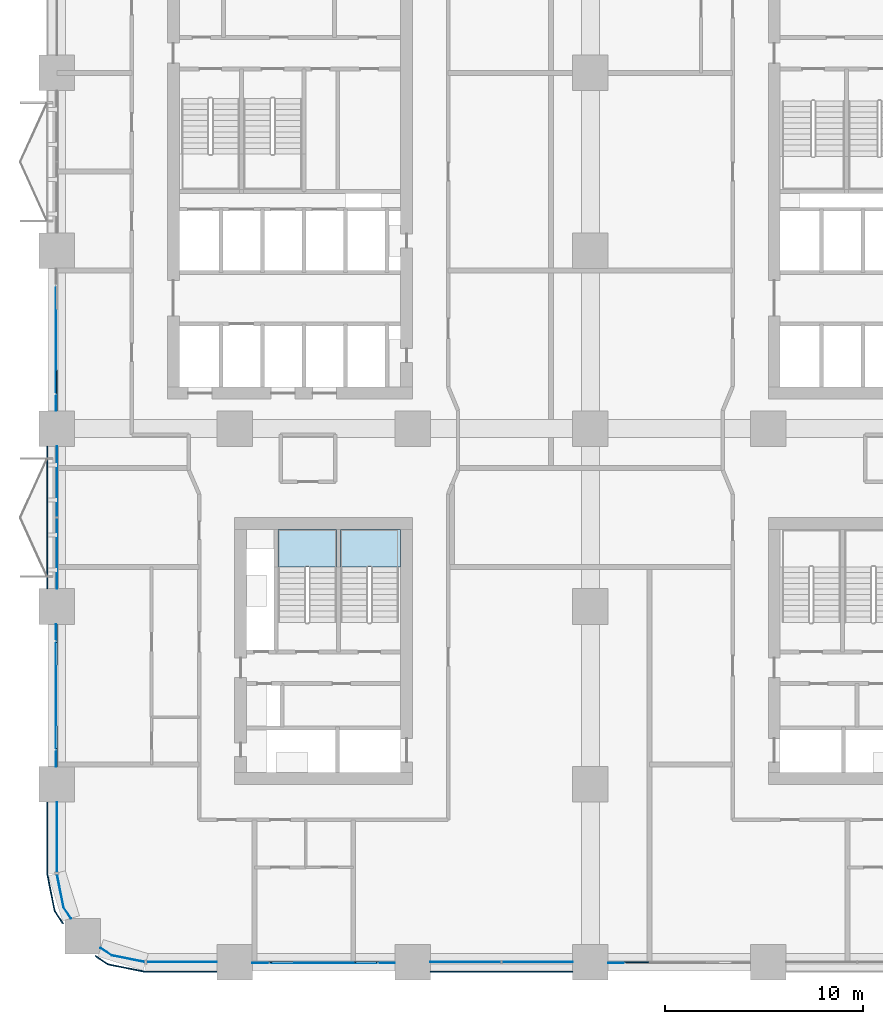
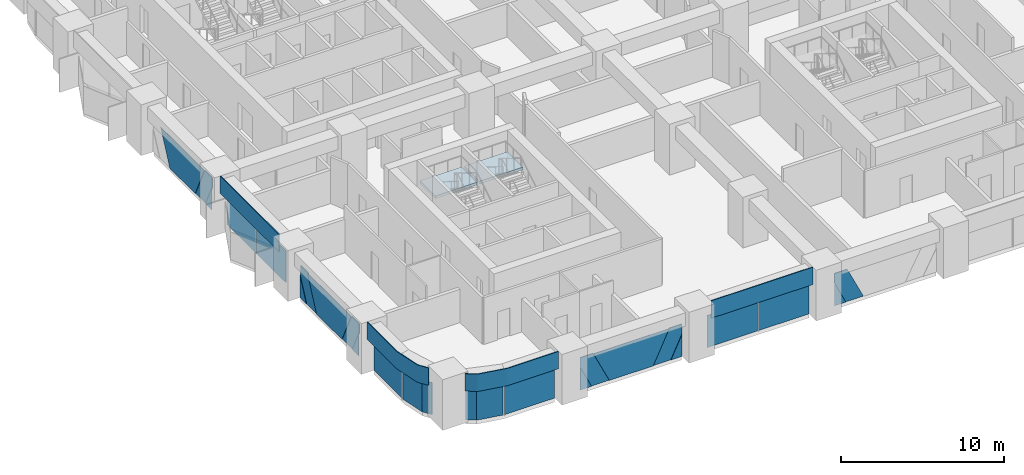
# One storey, part 8 of 21: 27 plates, 2 slabs, 10 elements without a shape of their own.
"""IFC4 building model written with IfcOpenShell, lengths in metres."""

from ifc_helpers import new_model, si_unit, direction, frame, origin, origin_2d, place, context, subcontext, project, spatial, polyline, rectangle, outline, extrude, material, layer, layer_set, type_object, element, aggregate, save


model = new_model("IFC4")

# Units and contexts
model_context = context("Model", 3, precision=1e-05, world=origin(), true_north=direction((0.0, 1.0)))
body_context = subcontext(model_context, "Body", "Model", "MODEL_VIEW")
ifc_project = project(units=[si_unit("LENGTHUNIT", "METRE"), si_unit("AREAUNIT", "SQUARE_METRE"), si_unit("VOLUMEUNIT", "CUBIC_METRE"), si_unit("PLANEANGLEUNIT", "RADIAN"), si_unit("MASSUNIT", "GRAM", prefix="KILO")], contexts=[model_context])

# Site, building, storey
site_placement = place(None, origin())
site = spatial("IfcSite", under=ifc_project, at=site_placement, CompositionType="ELEMENT")
building_placement = place(site_placement, origin())
building = spatial("IfcBuilding", under=site, at=building_placement, Name="Tessera Arch", CompositionType="ELEMENT")
storey_placement = place(building_placement, frame((0.0, 0.0, 42.39990234375)))
storey = spatial("IfcBuildingStorey", under=building, at=storey_placement, Name="L08", CompositionType="ELEMENT", Elevation=42.39990234375)

# Curtain wall, plates
ifc_material_1 = material(Name="CW1 curtain wall")
curtain_wall_type_1 = type_object("IfcCurtainWallType", Name="CW1 curtain wall", PredefinedType="NOTDEFINED", material=ifc_material_1)
curtain_wall_1_placement = place(storey_placement, origin())
curtain_wall_1 = element("IfcCurtainWall", 1, at=curtain_wall_1_placement, inside=storey, type_object=curtain_wall_type_1, Name="CW1 curtain wall S0.0/1 L08", PredefinedType="NOTDEFINED")
ifc_material_2 = material(Name="Clear low-e glass", Category="glass")
ifc_material_3 = material(Name="Clear low-e glass", Category="glass")
ifc_layer_1 = layer(ifc_material_3, 0.028076171875)
ifc_layer_set_1 = layer_set([ifc_layer_1], Name="CW1 glass panel")
plate_type_1 = type_object("IfcPlateType", Name="CW1 glass panel", PredefinedType="CURTAIN_PANEL", material=ifc_layer_set_1)
plate_1_placement = place(storey_placement, frame((20.68505859375, 0.0, 0.000244140625), z_axis=(0.0, 0.0, 1.0), x_axis=(1.0, 0.0, 0.0)))
plate_1 = element("IfcPlate", 2, at=plate_1_placement, type_object=plate_type_1, material=ifc_material_2, Name="CW1 glass panel S0.0/1 1.1.1", PredefinedType="CURTAIN_PANEL", context=body_context, shape_type="SweptSolid", body=[
    extrude(rectangle(XDim=3.570068359375, YDim=0.028076171875, at=origin_2d()), origin(), (0.0, 0.0, 1.0), 2.39990234375),
])
plate_2_placement = place(storey_placement, frame((24.31494140625, 0.0, 0.000244140625), z_axis=(0.0, 0.0, 1.0), x_axis=(1.0, 0.0, 0.0)))
plate_2 = element("IfcPlate", 3, at=plate_2_placement, type_object=plate_type_1, material=ifc_material_2, Name="CW1 glass panel S0.0/1 1.2.1", PredefinedType="CURTAIN_PANEL", context=body_context, shape_type="SweptSolid", body=[
    extrude(rectangle(XDim=3.570068359375, YDim=0.028076171875, at=origin_2d()), origin(), (0.0, 0.0, 1.0), 2.39990234375),
])

curtain_wall_2_placement = place(storey_placement, origin())
curtain_wall_2 = element("IfcCurtainWall", 4, at=curtain_wall_2_placement, inside=storey, type_object=curtain_wall_type_1, Name="CW1 curtain wall W0.0/3 L08", PredefinedType="NOTDEFINED")
plate_3_placement = place(storey_placement, frame((0.0, 24.31494140625, 0.000244140625), z_axis=(0.0, 0.0, 1.0), x_axis=(0.0, -1.0, 0.0)))
plate_3 = element("IfcPlate", 5, at=plate_3_placement, type_object=plate_type_1, material=ifc_material_2, Name="CW1 glass panel W0.0/3 1.1.1", PredefinedType="CURTAIN_PANEL", context=body_context, shape_type="SweptSolid", body=[
    extrude(rectangle(XDim=3.570068359375, YDim=0.028076171875, at=origin_2d()), origin(), (0.0, 0.0, 1.0), 2.39990234375),
])
plate_4_placement = place(storey_placement, frame((0.0, 20.68505859375, 0.000244140625), z_axis=(0.0, 0.0, 1.0), x_axis=(0.0, -1.0, 0.0)))
plate_4 = element("IfcPlate", 6, at=plate_4_placement, type_object=plate_type_1, material=ifc_material_2, Name="CW1 glass panel W0.0/3 1.2.1", PredefinedType="CURTAIN_PANEL", context=body_context, shape_type="SweptSolid", body=[
    extrude(rectangle(XDim=3.570068359375, YDim=0.028076171875, at=origin_2d()), origin(), (0.0, 0.0, 1.0), 2.39990234375),
])

# Plate
ifc_material_4 = material(Name="Pale anodised aluminium panel", Category="aluminium")
ifc_layer_2 = layer(ifc_material_4, 0.06005859375)
ifc_layer_set_2 = layer_set([ifc_layer_2], Name="CW1 spandrel panel")
plate_type_2 = type_object("IfcPlateType", Name="CW1 spandrel panel", PredefinedType="CURTAIN_PANEL", material=ifc_layer_set_2)
plate_5_placement = place(storey_placement, frame((22.5, -0.47998046875, 2.5), z_axis=(0.0, 0.0, 1.0), x_axis=(1.0, 0.0, 0.0)))
plate_5 = element("IfcPlate", 7, at=plate_5_placement, type_object=plate_type_2, Name="CW1 spandrel panel S0.0/1", PredefinedType="CURTAIN_PANEL", context=body_context, shape_type="SweptSolid", body=[
    extrude(rectangle(XDim=7.199951171875, YDim=0.06005859375, at=origin_2d()), origin(), (0.0, 0.0, 1.0), 1.300048828125),
])

aggregate(curtain_wall_1, [plate_1, plate_2, plate_5])

plate_6_placement = place(storey_placement, frame((-0.47998046875, 22.5, 2.5), z_axis=(0.0, 0.0, 1.0), x_axis=(0.0, -1.0, 0.0)))
plate_6 = element("IfcPlate", 8, at=plate_6_placement, type_object=plate_type_2, Name="CW1 spandrel panel W0.0/3", PredefinedType="CURTAIN_PANEL", context=body_context, shape_type="SweptSolid", body=[
    extrude(rectangle(XDim=7.199951171875, YDim=0.06005859375, at=origin_2d()), origin(), (0.0, 0.0, 1.0), 1.300048828125),
])

aggregate(curtain_wall_2, [plate_3, plate_4, plate_6])

# Curtain wall, plates
ifc_material_5 = material(Name="CW2 curtain wall")
curtain_wall_type_2 = type_object("IfcCurtainWallType", Name="CW2 curtain wall", PredefinedType="NOTDEFINED", material=ifc_material_5)
curtain_wall_3_placement = place(storey_placement, origin())
curtain_wall_3 = element("IfcCurtainWall", 9, at=curtain_wall_3_placement, inside=storey, type_object=curtain_wall_type_2, Name="CW2 curtain wall W0.0/5 L08", PredefinedType="NOTDEFINED")
ifc_material_6 = material(Name="Clear low-e glass", Category="glass")
ifc_layer_3 = layer(ifc_material_6, 0.028076171875)
ifc_layer_set_3 = layer_set([ifc_layer_3], Name="CW2 glass panel")
plate_type_3 = type_object("IfcPlateType", Name="CW2 glass panel", PredefinedType="CURTAIN_PANEL", material=ifc_layer_set_3)
plate_7_placement = place(storey_placement, frame((0.0, 6.320068359375, 0.000244140625), z_axis=(0.0, 0.0, 1.0), x_axis=(0.0, -1.0, 0.0)))
plate_7 = element("IfcPlate", 10, at=plate_7_placement, type_object=plate_type_3, material=ifc_material_2, Name="CW2 glass panel W0.0/5 1.1", PredefinedType="CURTAIN_PANEL", context=body_context, shape_type="SweptSolid", body=[
    extrude(rectangle(XDim=3.56005859375, YDim=0.028076171875, at=origin_2d()), origin(), (0.0, 0.0, 1.0), 2.39990234375),
])
plate_8_placement = place(storey_placement, origin())
plate_8 = element("IfcPlate", 11, at=plate_8_placement, type_object=plate_type_3, material=ifc_material_2, Name="CW2 curved glass panel W0.0/5 2.1", PredefinedType="CURTAIN_PANEL", context=body_context, shape_type="SweptSolid", body=[
    extrude(outline(polyline([(0.355712890625, 2.783447265625), (0.021484375, 4.46337890625), (-0.005859375, 4.4580078125), (0.329345703125, 2.7724609375), (0.705078125, 2.210205078125), (0.728271484375, 2.225830078125), (0.355712890625, 2.783447265625)])), origin(), (0.0, 0.0, 1.0), 2.400146484375),
])

curtain_wall_4_placement = place(storey_placement, origin())
curtain_wall_4 = element("IfcCurtainWall", 12, at=curtain_wall_4_placement, inside=storey, type_object=curtain_wall_type_2, Name="CW2 curtain wall S0.0/5 L08", PredefinedType="NOTDEFINED")
plate_9_placement = place(storey_placement, frame((6.320068359375, 0.0, 0.000244140625), z_axis=(0.0, 0.0, 1.0), x_axis=(1.0, 0.0, 0.0)))
plate_9 = element("IfcPlate", 13, at=plate_9_placement, type_object=plate_type_3, material=ifc_material_2, Name="CW2 glass panel S0.0/5 1.1", PredefinedType="CURTAIN_PANEL", context=body_context, shape_type="SweptSolid", body=[
    extrude(rectangle(XDim=3.56005859375, YDim=0.028076171875, at=origin_2d()), origin(), (0.0, 0.0, 1.0), 2.39990234375),
])
plate_10_placement = place(storey_placement, origin())
plate_10 = element("IfcPlate", 14, at=plate_10_placement, type_object=plate_type_3, material=ifc_material_2, Name="CW2 curved glass panel S0.0/5 2.1", PredefinedType="CURTAIN_PANEL", context=body_context, shape_type="SweptSolid", body=[
    extrude(outline(polyline([(2.783447265625, 0.355712890625), (2.225830078125, 0.728271484375), (2.210205078125, 0.705078125), (2.7724609375, 0.329345703125), (4.4580078125, -0.005859375), (4.46337890625, 0.021484375), (2.783447265625, 0.355712890625)])), origin(), (0.0, 0.0, 1.0), 2.400146484375),
])

# Plate
ifc_material_7 = material(Name="Pale anodised aluminium panel", Category="aluminium")
ifc_layer_4 = layer(ifc_material_7, 0.06005859375)
ifc_layer_set_4 = layer_set([ifc_layer_4], Name="CW2 spandrel panel")
plate_type_4 = type_object("IfcPlateType", Name="CW2 spandrel panel", PredefinedType="CURTAIN_PANEL", material=ifc_layer_set_4)
plate_11_placement = place(storey_placement, frame((0.0, 0.0, 2.5)))
plate_11 = element("IfcPlate", 15, at=plate_11_placement, type_object=plate_type_4, Name="CW2 spandrel panel W0.0/5", PredefinedType="CURTAIN_PANEL", context=body_context, shape_type="SweptSolid", body=[
    extrude(outline(polyline([(-0.449951171875, 4.500732421875), (-0.449951171875, 8.10009765625), (-0.510009765625, 8.10009765625), (-0.510009765625, 4.499267578125), (-0.507568359375, 4.449951171875), (-0.500244140625, 4.401123046875), (-0.157470703125, 2.677734375), (-0.1455078125, 2.6298828125), (-0.128662109375, 2.582763671875), (-0.107177734375, 2.537353515625), (-0.08203125, 2.4951171875), (0.292724609375, 1.9345703125), (0.342529296875, 1.968017578125), (-0.03125, 2.52734375), (-0.05419921875, 2.565673828125), (-0.0732421875, 2.605712890625), (-0.088134765625, 2.647216796875), (-0.09912109375, 2.69091796875), (-0.441162109375, 4.411376953125), (-0.44775390625, 4.455810546875), (-0.449951171875, 4.500732421875)])), origin(), (0.0, 0.0, 1.0), 1.300048828125),
])

aggregate(curtain_wall_3, [plate_7, plate_8, plate_11])

plate_12_placement = place(storey_placement, frame((0.0, 0.0, 2.5)))
plate_12 = element("IfcPlate", 16, at=plate_12_placement, type_object=plate_type_4, Name="CW2 spandrel panel S0.0/5", PredefinedType="CURTAIN_PANEL", context=body_context, shape_type="SweptSolid", body=[
    extrude(outline(polyline([(2.52734375, -0.03125), (1.968017578125, 0.342529296875), (1.9345703125, 0.292724609375), (2.4951171875, -0.08203125), (2.537353515625, -0.107177734375), (2.582763671875, -0.128662109375), (2.6298828125, -0.1455078125), (2.677734375, -0.157470703125), (4.401123046875, -0.500244140625), (4.449951171875, -0.507568359375), (4.499267578125, -0.510009765625), (8.10009765625, -0.510009765625), (8.10009765625, -0.449951171875), (4.500732421875, -0.449951171875), (4.455810546875, -0.44775390625), (4.411376953125, -0.441162109375), (2.69091796875, -0.09912109375), (2.647216796875, -0.088134765625), (2.605712890625, -0.0732421875), (2.565673828125, -0.05419921875), (2.52734375, -0.03125)])), origin(), (0.0, 0.0, 1.0), 1.300048828125),
])

aggregate(curtain_wall_4, [plate_9, plate_10, plate_12])

# Curtain wall, plates
ifc_material_8 = material(Name="CW3 curtain wall")
curtain_wall_type_3 = type_object("IfcCurtainWallType", Name="CW3 curtain wall", PredefinedType="NOTDEFINED", material=ifc_material_8)
curtain_wall_5_placement = place(storey_placement, origin())
curtain_wall_5 = element("IfcCurtainWall", 17, at=curtain_wall_5_placement, inside=storey, type_object=curtain_wall_type_3, Name="CW3 curtain wall S0.0/0 L08", PredefinedType="NOTDEFINED")
ifc_material_9 = material(Name="Pale anodised aluminium panel", Category="aluminium")
ifc_layer_5 = layer(ifc_material_9, 0.06005859375)
ifc_layer_set_5 = layer_set([ifc_layer_5], Name="CW3 diagonal panel")
plate_type_5 = type_object("IfcPlateType", Name="CW3 diagonal panel", PredefinedType="CURTAIN_PANEL", material=ifc_layer_set_5)
plate_13_placement = place(storey_placement, frame((17.10009765625, -0.030029296875, 2.400146484375), z_axis=(0.0, -1.0, 0.0), x_axis=(-1.0, 0.0, 0.0)))
plate_13 = element("IfcPlate", 18, at=plate_13_placement, type_object=plate_type_5, Name="CW3 diagonal panel S0.0/0 1", PredefinedType="CURTAIN_PANEL", context=body_context, shape_type="SweptSolid", body=[
    extrude(outline(polyline([(0.0, 0.0), (0.912841796875, 0.0), (2.049560546875, 2.400146484375), (0.792724609375, 2.400146484375), (0.0, 0.726806640625), (0.0, 0.0)])), origin(), (0.0, 0.0, -1.0), 0.06005859375),
])
plate_14_placement = place(storey_placement, frame((9.89990234375, -0.030029296875, 2.400146484375), z_axis=(0.0, -1.0, 0.0), x_axis=(0.0, 0.0, -1.0)))
plate_14 = element("IfcPlate", 19, at=plate_14_placement, type_object=plate_type_5, Name="CW3 diagonal panel S0.0/0 2", PredefinedType="CURTAIN_PANEL", context=body_context, shape_type="SweptSolid", body=[
    extrude(outline(polyline([(0.0, 0.0), (0.726806640625, 0.0), (2.400146484375, 0.792724609375), (2.400146484375, 2.049560546875), (0.0, 0.912841796875), (0.0, 0.0)])), origin(), (0.0, 0.0, -1.0), 0.06005859375),
])

# Curtain wall, plate
curtain_wall_6_placement = place(storey_placement, origin())
curtain_wall_6 = element("IfcCurtainWall", 20, at=curtain_wall_6_placement, inside=storey, type_object=curtain_wall_type_3, Name="CW3 curtain wall S0.0/2 L08", PredefinedType="NOTDEFINED")
plate_15_placement = place(storey_placement, frame((27.89990234375, -0.030029296875, 2.400146484375), z_axis=(0.0, -1.0, 0.0), x_axis=(0.0, 0.0, -1.0)))
plate_15 = element("IfcPlate", 21, at=plate_15_placement, type_object=plate_type_5, Name="CW3 diagonal panel S0.0/2 2", PredefinedType="CURTAIN_PANEL", context=body_context, shape_type="SweptSolid", body=[
    extrude(outline(polyline([(0.0, 0.0), (0.726806640625, 0.0), (2.400146484375, 0.792724609375), (2.400146484375, 2.049560546875), (0.0, 0.912841796875), (0.0, 0.0)])), origin(), (0.0, 0.0, -1.0), 0.06005859375),
])

curtain_wall_7_placement = place(storey_placement, origin())
curtain_wall_7 = element("IfcCurtainWall", 22, at=curtain_wall_7_placement, inside=storey, type_object=curtain_wall_type_3, Name="CW3 curtain wall W0.0/2 L08", PredefinedType="NOTDEFINED")
plate_16_placement = place(storey_placement, frame((-0.030029296875, 27.89990234375, 2.400146484375), z_axis=(-1.0, 0.0, 0.0), x_axis=(0.0, 1.0, 0.0)))
plate_16 = element("IfcPlate", 23, at=plate_16_placement, type_object=plate_type_5, Name="CW3 diagonal panel W0.0/2 1", PredefinedType="CURTAIN_PANEL", context=body_context, shape_type="SweptSolid", body=[
    extrude(outline(polyline([(0.0, 0.0), (0.912841796875, 0.0), (2.049560546875, 2.400146484375), (0.792724609375, 2.400146484375), (0.0, 0.726806640625), (0.0, 0.0)])), origin(), (0.0, 0.0, -1.0), 0.06005859375),
])

# Curtain wall, plates
curtain_wall_8_placement = place(storey_placement, origin())
curtain_wall_8 = element("IfcCurtainWall", 24, at=curtain_wall_8_placement, inside=storey, type_object=curtain_wall_type_3, Name="CW3 curtain wall W0.0/4 L08", PredefinedType="NOTDEFINED")
plate_17_placement = place(storey_placement, frame((-0.030029296875, 9.89990234375, 2.400146484375), z_axis=(-1.0, 0.0, 0.0), x_axis=(0.0, 1.0, 0.0)))
plate_17 = element("IfcPlate", 25, at=plate_17_placement, type_object=plate_type_5, Name="CW3 diagonal panel W0.0/4 1", PredefinedType="CURTAIN_PANEL", context=body_context, shape_type="SweptSolid", body=[
    extrude(outline(polyline([(0.0, 0.0), (0.912841796875, 0.0), (2.049560546875, 2.400146484375), (0.792724609375, 2.400146484375), (0.0, 0.726806640625), (0.0, 0.0)])), origin(), (0.0, 0.0, -1.0), 0.06005859375),
])
plate_18_placement = place(storey_placement, frame((-0.030029296875, 17.10009765625, 2.400146484375), z_axis=(-1.0, 0.0, 0.0), x_axis=(0.0, 0.0, -1.0)))
plate_18 = element("IfcPlate", 26, at=plate_18_placement, type_object=plate_type_5, Name="CW3 diagonal panel W0.0/4 2", PredefinedType="CURTAIN_PANEL", context=body_context, shape_type="SweptSolid", body=[
    extrude(outline(polyline([(0.0, 0.0), (0.726806640625, 0.0), (2.400146484375, 0.792724609375), (2.400146484375, 2.049560546875), (0.0, 0.912841796875), (0.0, 0.0)])), origin(), (0.0, 0.0, -1.0), 0.06005859375),
])

# Plate
ifc_material_10 = material(Name="Clear low-e glass", Category="glass")
ifc_layer_6 = layer(ifc_material_10, 0.028076171875)
ifc_layer_set_6 = layer_set([ifc_layer_6], Name="CW3 glass panel")
plate_type_6 = type_object("IfcPlateType", Name="CW3 glass panel", PredefinedType="CURTAIN_PANEL", material=ifc_layer_set_6)
plate_19_placement = place(storey_placement, frame((9.89990234375, -0.05810546875, 0.0), z_axis=(0.0, -1.0, 0.0), x_axis=(1.0, 0.0, 0.0)))
plate_19 = element("IfcPlate", 27, at=plate_19_placement, type_object=plate_type_6, material=ifc_material_2, Name="CW3 triangulated glass panel S0.0/0 1", PredefinedType="CURTAIN_PANEL", context=body_context, shape_type="SweptSolid", body=[
    extrude(outline(polyline([(0.0, 0.0), (0.792724609375, 0.0), (0.0, 1.67333984375), (0.0, 0.0)])), origin(), (0.0, 0.0, -1.0), 0.028076171875),
])

plate_20_placement = place(storey_placement, frame((16.187255859375, -0.05810546875, 2.400146484375), z_axis=(0.0, -1.0, 0.0), x_axis=(-1.0, 0.0, 0.0)))
plate_20 = element("IfcPlate", 28, at=plate_20_placement, type_object=plate_type_6, material=ifc_material_2, Name="CW3 triangulated glass panel S0.0/0 2", PredefinedType="CURTAIN_PANEL", context=body_context, shape_type="SweptSolid", body=[
    extrude(outline(polyline([(0.0, 0.0), (5.37451171875, 0.0), (4.23779296875, 2.400146484375), (1.13671875, 2.400146484375), (0.0, 0.0)])), origin(), (0.0, 0.0, -1.0), 0.028076171875),
])

plate_21_placement = place(storey_placement, frame((17.10009765625, -0.05810546875, 0.0), z_axis=(0.0, -1.0, 0.0), x_axis=(0.0, 0.0, 1.0)))
plate_21 = element("IfcPlate", 29, at=plate_21_placement, type_object=plate_type_6, material=ifc_material_2, Name="CW3 triangulated glass panel S0.0/0 3", PredefinedType="CURTAIN_PANEL", context=body_context, shape_type="SweptSolid", body=[
    extrude(outline(polyline([(0.0, 0.0), (1.67333984375, 0.0), (0.0, 0.792724609375), (0.0, 0.0)])), origin(), (0.0, 0.0, -1.0), 0.028076171875),
])

aggregate(curtain_wall_5, [plate_19, plate_20, plate_21, plate_13, plate_14])

plate_22_placement = place(storey_placement, frame((27.89990234375, -0.05810546875, 0.0), z_axis=(0.0, -1.0, 0.0), x_axis=(1.0, 0.0, 0.0)))
plate_22 = element("IfcPlate", 30, at=plate_22_placement, type_object=plate_type_6, material=ifc_material_2, Name="CW3 triangulated glass panel S0.0/2 1", PredefinedType="CURTAIN_PANEL", context=body_context, shape_type="SweptSolid", body=[
    extrude(outline(polyline([(0.0, 0.0), (0.792724609375, 0.0), (0.0, 1.67333984375), (0.0, 0.0)])), origin(), (0.0, 0.0, -1.0), 0.028076171875),
])

aggregate(curtain_wall_6, [plate_22, plate_15])

plate_23_placement = place(storey_placement, frame((-0.05810546875, 28.812744140625, 2.400146484375), z_axis=(-1.0, 0.0, 0.0), x_axis=(0.0, 1.0, 0.0)))
plate_23 = element("IfcPlate", 31, at=plate_23_placement, type_object=plate_type_6, material=ifc_material_2, Name="CW3 triangulated glass panel W0.0/2 2", PredefinedType="CURTAIN_PANEL", context=body_context, shape_type="SweptSolid", body=[
    extrude(outline(polyline([(0.0, 0.0), (5.37451171875, 0.0), (4.23779296875, 2.400146484375), (1.13671875, 2.400146484375), (0.0, 0.0)])), origin(), (0.0, 0.0, -1.0), 0.028076171875),
])

plate_24_placement = place(storey_placement, frame((-0.05810546875, 27.89990234375, 0.0), z_axis=(-1.0, 0.0, 0.0), x_axis=(0.0, 0.0, 1.0)))
plate_24 = element("IfcPlate", 32, at=plate_24_placement, type_object=plate_type_6, material=ifc_material_2, Name="CW3 triangulated glass panel W0.0/2 3", PredefinedType="CURTAIN_PANEL", context=body_context, shape_type="SweptSolid", body=[
    extrude(outline(polyline([(0.0, 0.0), (1.67333984375, 0.0), (0.0, 0.792724609375), (0.0, 0.0)])), origin(), (0.0, 0.0, -1.0), 0.028076171875),
])

aggregate(curtain_wall_7, [plate_23, plate_24, plate_16])

plate_25_placement = place(storey_placement, frame((-0.05810546875, 17.10009765625, 0.0), z_axis=(-1.0, 0.0, 0.0), x_axis=(0.0, -1.0, 0.0)))
plate_25 = element("IfcPlate", 33, at=plate_25_placement, type_object=plate_type_6, material=ifc_material_2, Name="CW3 triangulated glass panel W0.0/4 1", PredefinedType="CURTAIN_PANEL", context=body_context, shape_type="SweptSolid", body=[
    extrude(outline(polyline([(0.0, 0.0), (0.792724609375, 0.0), (0.0, 1.67333984375), (0.0, 0.0)])), origin(), (0.0, 0.0, -1.0), 0.028076171875),
])

plate_26_placement = place(storey_placement, frame((-0.05810546875, 10.812744140625, 2.400146484375), z_axis=(-1.0, 0.0, 0.0), x_axis=(0.0, 1.0, 0.0)))
plate_26 = element("IfcPlate", 34, at=plate_26_placement, type_object=plate_type_6, material=ifc_material_2, Name="CW3 triangulated glass panel W0.0/4 2", PredefinedType="CURTAIN_PANEL", context=body_context, shape_type="SweptSolid", body=[
    extrude(outline(polyline([(0.0, 0.0), (5.37451171875, 0.0), (4.23779296875, 2.400146484375), (1.13671875, 2.400146484375), (0.0, 0.0)])), origin(), (0.0, 0.0, -1.0), 0.028076171875),
])

plate_27_placement = place(storey_placement, frame((-0.05810546875, 9.89990234375, 0.0), z_axis=(-1.0, 0.0, 0.0), x_axis=(0.0, 0.0, 1.0)))
plate_27 = element("IfcPlate", 35, at=plate_27_placement, type_object=plate_type_6, material=ifc_material_2, Name="CW3 triangulated glass panel W0.0/4 3", PredefinedType="CURTAIN_PANEL", context=body_context, shape_type="SweptSolid", body=[
    extrude(outline(polyline([(0.0, 0.0), (1.67333984375, 0.0), (0.0, 0.792724609375), (0.0, 0.0)])), origin(), (0.0, 0.0, -1.0), 0.028076171875),
])

aggregate(curtain_wall_8, [plate_25, plate_26, plate_27, plate_17, plate_18])

# Stair, slab
ifc_material_11 = material(Name="Concrete C40/50", Category="concrete")
stair_type = type_object("IfcStairType", Name="Dogleg stair 1400", PredefinedType="HALF_TURN_STAIR", material=ifc_material_11)
stair_1_placement = place(storey_placement, origin())
stair_1 = element("IfcStair", 36, at=stair_1_placement, inside=storey, type_object=stair_type, Name="L08 S4a", PredefinedType="HALF_TURN_STAIR")
ifc_material_12 = material(Name="Concrete C40/50", Category="concrete")
ifc_layer_7 = layer(ifc_material_12, 0.300048828125)
ifc_layer_set_7 = layer_set([ifc_layer_7], Name="Stair landing 300")
slab_type = type_object("IfcSlabType", Name="Stair landing 300", PredefinedType="LANDING", material=ifc_layer_set_7)
slab_1_placement = place(storey_placement, frame((0.0, 0.0, 1.7001953125)))
slab_1 = element("IfcSlab", 37, at=slab_1_placement, type_object=slab_type, Name="S4a landing 1", PredefinedType="LANDING", context=body_context, shape_type="SweptSolid", body=[
    extrude(outline(polyline([(17.39990234375, 20.0), (17.39990234375, 21.89990234375), (14.35009765625, 21.89990234375), (14.35009765625, 20.0), (17.39990234375, 20.0)])), origin(), (0.0, 0.0, 1.0), 0.199951171875),
])
aggregate(stair_1, [slab_1])

stair_2_placement = place(storey_placement, origin())
stair_2 = element("IfcStair", 38, at=stair_2_placement, inside=storey, type_object=stair_type, Name="L08 S4b", PredefinedType="HALF_TURN_STAIR")
slab_2_placement = place(storey_placement, frame((0.0, 0.0, 1.7001953125)))
slab_2 = element("IfcSlab", 39, at=slab_2_placement, type_object=slab_type, Name="S4b landing 1", PredefinedType="LANDING", context=body_context, shape_type="SweptSolid", body=[
    extrude(outline(polyline([(14.14990234375, 20.0), (14.14990234375, 21.89990234375), (11.199951171875, 21.89990234375), (11.199951171875, 20.0), (14.14990234375, 20.0)])), origin(), (0.0, 0.0, 1.0), 0.199951171875),
])
aggregate(stair_2, [slab_2])

save(model, "model.ifc")
